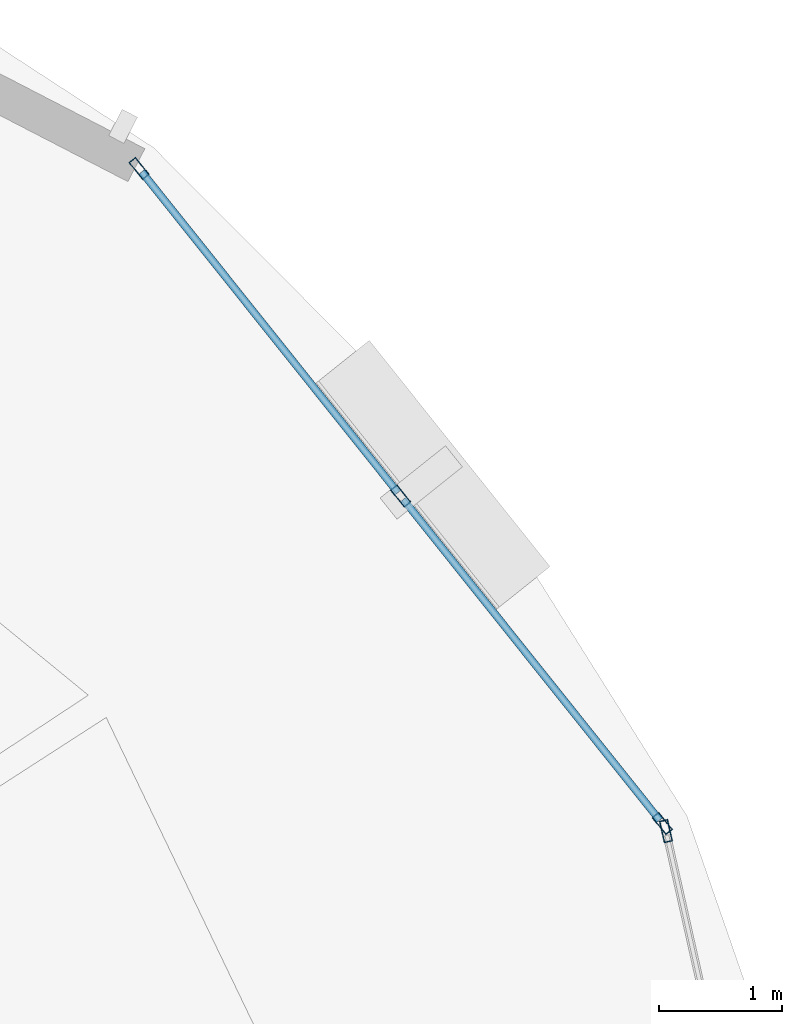
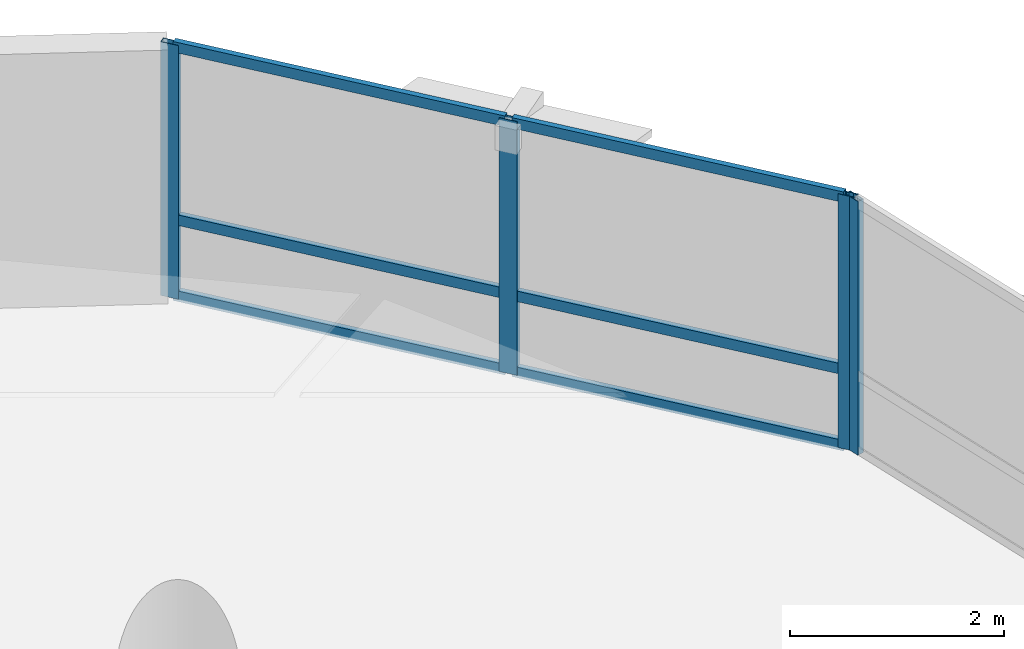
# One storey, part 8 of 15: 10 members, 2 elements without a shape of their own.
"""IFC4 building model written with IfcOpenShell, lengths in metres."""

from ifc_helpers import new_model, si_unit, direction, frame, origin, origin_2d, place, context, subcontext, project, spatial, hollow_rectangle, extrude, material, layer, layer_set, material_profile, profile_set, type_object, element, aggregate, save


model = new_model("IFC4")

# Units and contexts
model_context = context("Model", 3, precision=1e-05, world=origin(), true_north=direction((0.0, 1.0)))
body_context = subcontext(model_context, "Body", "Model", "MODEL_VIEW")
ifc_project = project(units=[si_unit("LENGTHUNIT", "METRE"), si_unit("AREAUNIT", "SQUARE_METRE"), si_unit("VOLUMEUNIT", "CUBIC_METRE"), si_unit("PLANEANGLEUNIT", "RADIAN"), si_unit("MASSUNIT", "GRAM", prefix="KILO"), si_unit("THERMODYNAMICTEMPERATUREUNIT", "KELVIN"), si_unit("POWERUNIT", "WATT")], contexts=[model_context])

# Site, building, storey
site_placement = place(None, origin())
site = spatial("IfcSite", under=ifc_project, at=site_placement, CompositionType="ELEMENT")
building_placement = place(site_placement, origin())
building = spatial("IfcBuilding", under=site, at=building_placement, Name="Ocrelia Relay Tower", CompositionType="ELEMENT")
storey_placement = place(building_placement, frame((0.0, 0.0, 141.800048828125)))
storey = spatial("IfcBuildingStorey", under=building, at=storey_placement, Name="L33", CompositionType="ELEMENT", Elevation=141.800048828125)

# Curtain wall, members
ifc_material_1 = material(Name="Aluminium and solar-control low-E glass", Category="aluminium")
ifc_layer = layer(ifc_material_1, 0.179931640625, Name="Aluminium and solar-control low-E glass")
ifc_layer_set = layer_set([ifc_layer], Name="Aluminium and solar-control low-E glass")
curtain_wall_type = type_object("IfcCurtainWallType", Name="CW-SYS-Z2-SWIT", PredefinedType="NOTDEFINED", material=ifc_layer_set)
curtain_wall_1_placement = place(storey_placement, origin())
curtain_wall_1 = element("IfcCurtainWall", 1, at=curtain_wall_1_placement, inside=storey, type_object=curtain_wall_type, Name="L33 Elliptical Tower Curtain Wall Bay 01", PredefinedType="NOTDEFINED")
ifc_material_2 = material(Name="Anodised bronze aluminium", Category="aluminium")
ifc_material_profile_1 = material_profile(ifc_material_2, hollow_rectangle(XDim=0.070068359375, YDim=0.179931640625, WallThickness=0.006103515625, at=origin_2d()), Name="CW-MUL-180x70")
ifc_profile_set_1 = profile_set([ifc_material_profile_1], Name="Anodised bronze aluminium")
member_type_1 = type_object("IfcMemberType", Name="CW-SYS-Z2-SWIT-MUL", PredefinedType="MULLION", material=ifc_profile_set_1)
member_1_placement = place(storey_placement, frame((57.055419921875, 37.10888671875, 0.0), z_axis=(0.0, 0.0, 1.0), x_axis=(-0.781305429449, -0.624148881208, 0.0)))
member_1 = element("IfcMember", 2, at=member_1_placement, type_object=member_type_1, Name="CW-Z2 mullion 1", PredefinedType="MULLION", context=body_context, shape_type="SweptSolid", body=[
    extrude(hollow_rectangle(XDim=0.070068359375, YDim=0.179931640625, WallThickness=0.006103515625, at=origin_2d()), origin(), (0.0, 0.0, 1.0), 2.89990234375),
])
member_2_placement = place(storey_placement, frame((54.930419921875, 39.768798828125, 0.0), z_axis=(0.0, 0.0, 1.0), x_axis=(-0.781305429449, -0.624148881208, 0.0)))
member_2 = element("IfcMember", 3, at=member_2_placement, type_object=member_type_1, Name="CW-Z2 mullion 2", PredefinedType="MULLION", context=body_context, shape_type="SweptSolid", body=[
    extrude(hollow_rectangle(XDim=0.070068359375, YDim=0.179931640625, WallThickness=0.006103515625, at=origin_2d()), origin(), (0.0, 0.0, 1.0), 2.89990234375),
])
member_3_placement = place(storey_placement, frame((52.8056640625, 42.428955078125, 0.0), z_axis=(0.0, 0.0, 1.0), x_axis=(-0.781305429449, -0.624148881208, 0.0)))
member_3 = element("IfcMember", 4, at=member_3_placement, type_object=member_type_1, Name="CW-Z2 mullion 3", PredefinedType="MULLION", context=body_context, shape_type="SweptSolid", body=[
    extrude(hollow_rectangle(XDim=0.070068359375, YDim=0.179931640625, WallThickness=0.006103515625, at=origin_2d()), origin(), (0.0, 0.0, 1.0), 2.89990234375),
])

# Curtain wall, member
curtain_wall_2_placement = place(storey_placement, origin())
curtain_wall_2 = element("IfcCurtainWall", 5, at=curtain_wall_2_placement, inside=storey, type_object=curtain_wall_type, Name="L33 Elliptical Tower Curtain Wall Bay 18", PredefinedType="NOTDEFINED")
member_4_placement = place(storey_placement, frame((57.0849609375, 37.04736328125, 0.0), z_axis=(0.0, 0.0, 1.0), x_axis=(-0.975611079184, -0.219506314656, 0.0)))
member_4 = element("IfcMember", 6, at=member_4_placement, type_object=member_type_1, Name="CW-Z2 mullion 3", PredefinedType="MULLION", context=body_context, shape_type="SweptSolid", body=[
    extrude(hollow_rectangle(XDim=0.070068359375, YDim=0.179931640625, WallThickness=0.006103515625, at=origin_2d()), origin(), (0.0, 0.0, 1.0), 2.89990234375),
])
aggregate(curtain_wall_2, [member_4])

# Member
ifc_material_profile_2 = material_profile(ifc_material_2, hollow_rectangle(XDim=0.06005859375, YDim=0.1201171875, WallThickness=0.0048828125, at=origin_2d()), Name="CW-TRN-120x60")
ifc_profile_set_2 = profile_set([ifc_material_profile_2], Name="Anodised bronze aluminium")
member_type_2 = type_object("IfcMemberType", Name="CW-SYS-Z2-SWIT-TRN", PredefinedType="USERDEFINED", material=ifc_profile_set_2)
member_5_placement = place(storey_placement, frame((57.03369140625, 37.13623046875, 0.030029296875), z_axis=(-0.624168105907, 0.781290071336, 0.0), x_axis=(-0.781290071336, -0.624168105907, 0.0)))
member_5 = element("IfcMember", 7, at=member_5_placement, type_object=member_type_2, Name="CW-Z2 transom 1.1", ObjectType="TRANSOM", PredefinedType="USERDEFINED", context=body_context, shape_type="SweptSolid", body=[
    extrude(hollow_rectangle(XDim=0.06005859375, YDim=0.1201171875, WallThickness=0.0048828125, at=origin_2d()), origin(), (0.0, 0.0, 1.0), 3.33447265625),
])

member_6_placement = place(storey_placement, frame((57.03369140625, 37.13623046875, 0.89990234375), z_axis=(-0.624168105907, 0.781290071336, 0.0), x_axis=(-0.781290071336, -0.624168105907, 0.0)))
member_6 = element("IfcMember", 8, at=member_6_placement, type_object=member_type_2, Name="CW-Z2 transom 1.2", ObjectType="TRANSOM", PredefinedType="USERDEFINED", context=body_context, shape_type="SweptSolid", body=[
    extrude(hollow_rectangle(XDim=0.06005859375, YDim=0.1201171875, WallThickness=0.0048828125, at=origin_2d()), origin(), (0.0, 0.0, 1.0), 3.33447265625),
])

member_7_placement = place(storey_placement, frame((57.03369140625, 37.13623046875, 2.869873046875), z_axis=(-0.624168105907, 0.781290071336, 0.0), x_axis=(-0.781290071336, -0.624168105907, 0.0)))
member_7 = element("IfcMember", 9, at=member_7_placement, type_object=member_type_2, Name="CW-Z2 transom 1.3", ObjectType="TRANSOM", PredefinedType="USERDEFINED", context=body_context, shape_type="SweptSolid", body=[
    extrude(hollow_rectangle(XDim=0.06005859375, YDim=0.1201171875, WallThickness=0.0048828125, at=origin_2d()), origin(), (0.0, 0.0, 1.0), 3.33447265625),
])

member_8_placement = place(storey_placement, frame((54.90869140625, 39.796142578125, 0.030029296875), z_axis=(-0.624132402954, 0.781318592882, 0.0), x_axis=(-0.781318592882, -0.624132402954, 0.0)))
member_8 = element("IfcMember", 10, at=member_8_placement, type_object=member_type_2, Name="CW-Z2 transom 2.1", ObjectType="TRANSOM", PredefinedType="USERDEFINED", context=body_context, shape_type="SweptSolid", body=[
    extrude(hollow_rectangle(XDim=0.06005859375, YDim=0.1201171875, WallThickness=0.0048828125, at=origin_2d()), origin(), (0.0, 0.0, 1.0), 3.334716796875),
])

member_9_placement = place(storey_placement, frame((54.90869140625, 39.796142578125, 0.89990234375), z_axis=(-0.624132402954, 0.781318592882, 0.0), x_axis=(-0.781318592882, -0.624132402954, 0.0)))
member_9 = element("IfcMember", 11, at=member_9_placement, type_object=member_type_2, Name="CW-Z2 transom 2.2", ObjectType="TRANSOM", PredefinedType="USERDEFINED", context=body_context, shape_type="SweptSolid", body=[
    extrude(hollow_rectangle(XDim=0.06005859375, YDim=0.1201171875, WallThickness=0.0048828125, at=origin_2d()), origin(), (0.0, 0.0, 1.0), 3.334716796875),
])

member_10_placement = place(storey_placement, frame((54.90869140625, 39.796142578125, 2.869873046875), z_axis=(-0.624132402954, 0.781318592882, 0.0), x_axis=(-0.781318592882, -0.624132402954, 0.0)))
member_10 = element("IfcMember", 12, at=member_10_placement, type_object=member_type_2, Name="CW-Z2 transom 2.3", ObjectType="TRANSOM", PredefinedType="USERDEFINED", context=body_context, shape_type="SweptSolid", body=[
    extrude(hollow_rectangle(XDim=0.06005859375, YDim=0.1201171875, WallThickness=0.0048828125, at=origin_2d()), origin(), (0.0, 0.0, 1.0), 3.334716796875),
])

aggregate(curtain_wall_1, [member_1, member_2, member_3, member_5, member_6, member_7, member_8, member_9, member_10])

save(model, "model.ifc")
